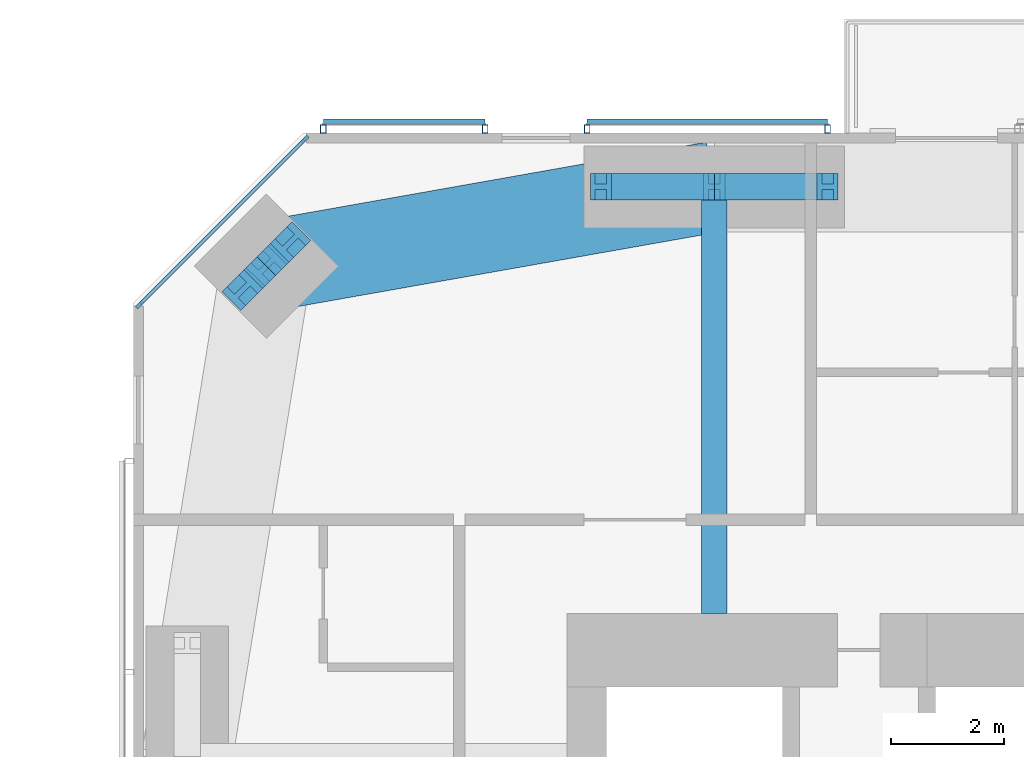
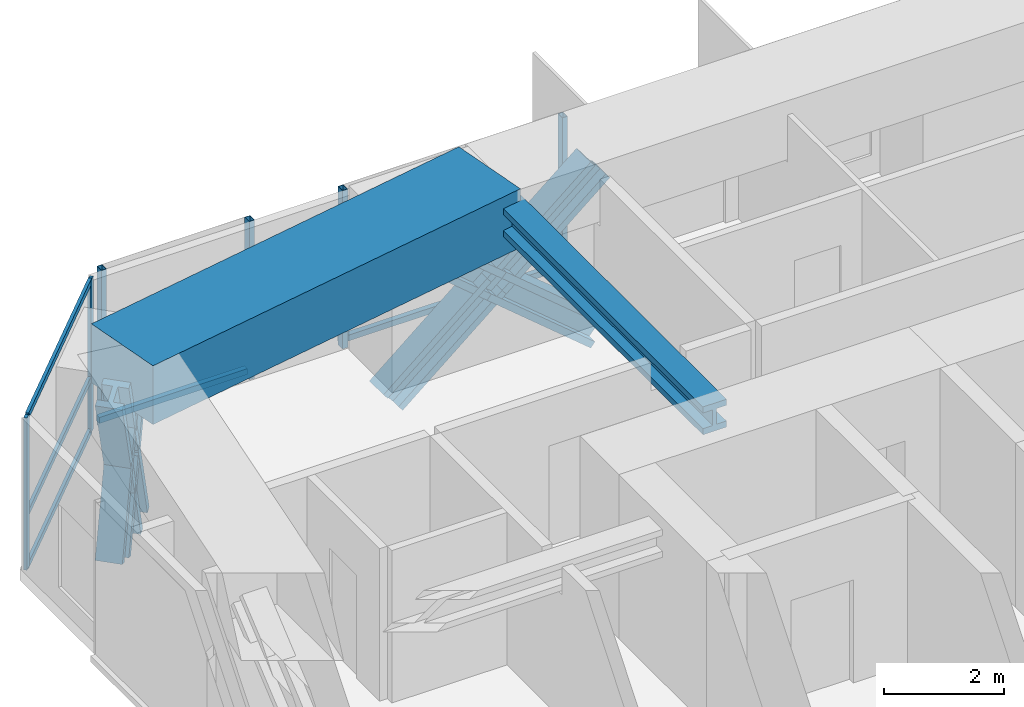
# One storey, part 10 of 22: 19 members, 2 beams, 3 elements without a shape of their own.
"""IFC4 building model written with IfcOpenShell, lengths in metres."""

from ifc_helpers import new_model, si_unit, direction, frame, origin, origin_2d, place, context, subcontext, project, spatial, rectangle, hollow_rectangle, i_section, extrude, material, material_profile, profile_set, type_object, element, aggregate, save


model = new_model("IFC4")

# Units and contexts
model_context = context("Model", 3, precision=1e-05, world=origin(), true_north=direction((0.0, 1.0)))
body_context = subcontext(model_context, "Body", "Model", "MODEL_VIEW")
ifc_project = project(units=[si_unit("LENGTHUNIT", "METRE"), si_unit("AREAUNIT", "SQUARE_METRE"), si_unit("VOLUMEUNIT", "CUBIC_METRE"), si_unit("PLANEANGLEUNIT", "RADIAN"), si_unit("MASSUNIT", "GRAM", prefix="KILO")], contexts=[model_context])

# Site, building, storey
site_placement = place(None, origin())
site = spatial("IfcSite", under=ifc_project, at=site_placement, CompositionType="ELEMENT")
building_placement = place(site_placement, origin())
building = spatial("IfcBuilding", under=site, at=building_placement, Name="Jalousie Tower", CompositionType="ELEMENT")
storey_placement = place(building_placement, frame((0.0, 0.0, 177.800048828125)))
storey = spatial("IfcBuildingStorey", under=building, at=storey_placement, Name="L48", CompositionType="ELEMENT", Elevation=177.800048828125)

# Curtain wall, members
ifc_material_1 = material(Name="Aluminium curtain wall", Category="aluminium")
curtain_wall_type_1 = type_object("IfcCurtainWallType", Name="CORNER WINDOW WALL", PredefinedType="USERDEFINED", material=ifc_material_1)
curtain_wall_1_placement = place(storey_placement, origin())
curtain_wall_1 = element("IfcCurtainWall", 1, at=curtain_wall_1_placement, inside=storey, type_object=curtain_wall_type_1, Name="Corner Window Wall L48 6", ObjectType="CORNER WINDOW WALL", PredefinedType="USERDEFINED")
ifc_material_2 = material(Name="Aluminium mullion", Category="aluminium")
ifc_material_profile_1 = material_profile(ifc_material_2, rectangle(XDim=0.06005859375, YDim=0.14990234375, at=origin_2d()), Name="MULLION 60x150")
ifc_profile_set_1 = profile_set([ifc_material_profile_1], Name="Aluminium mullion")
member_type_1 = type_object("IfcMemberType", Name="CORNER WINDOW WALL MULLION", PredefinedType="MULLION", material=ifc_profile_set_1)
member_1_placement = place(storey_placement, frame((15.030029296875, 35.891357421875, 0.0), z_axis=(0.0, 0.0, 1.0), x_axis=(0.707106781187, -0.707106781187, 0.0)))
member_1 = element("IfcMember", 2, at=member_1_placement, type_object=member_type_1, Name="CW-C mullion 1", PredefinedType="MULLION", context=body_context, shape_type="SweptSolid", body=[
    extrude(rectangle(XDim=0.06005859375, YDim=0.14990234375, at=origin_2d()), origin(), (0.0, 0.0, 1.0), 3.10986328125),
])
member_2_placement = place(storey_placement, frame((12.108642578125, 32.969970703125, 0.0), z_axis=(0.0, 0.0, 1.0), x_axis=(0.707106781187, -0.707106781187, 0.0)))
member_2 = element("IfcMember", 3, at=member_2_placement, type_object=member_type_1, Name="CW-C mullion 2", PredefinedType="MULLION", context=body_context, shape_type="SweptSolid", body=[
    extrude(rectangle(XDim=0.06005859375, YDim=0.14990234375, at=origin_2d()), origin(), (0.0, 0.0, 1.0), 3.10986328125),
])
ifc_material_3 = material(Name="Aluminium transom", Category="aluminium")
ifc_material_profile_2 = material_profile(ifc_material_3, rectangle(XDim=0.06005859375, YDim=0.1201171875, at=origin_2d()), Name="TRANSOM 60x120")
ifc_profile_set_2 = profile_set([ifc_material_profile_2], Name="Aluminium transom")
member_type_2 = type_object("IfcMemberType", Name="CORNER WINDOW WALL TRANSOM", PredefinedType="USERDEFINED", material=ifc_profile_set_2)
member_3_placement = place(storey_placement, frame((15.0087890625, 35.8701171875, 0.030029296875), z_axis=(-0.707106781187, -0.707106781187, 0.0), x_axis=(0.707106781187, -0.707106781187, 0.0)))
member_3 = element("IfcMember", 4, at=member_3_placement, type_object=member_type_2, Name="CW-C transom 1.1", ObjectType="TRANSOM", PredefinedType="USERDEFINED", context=body_context, shape_type="SweptSolid", body=[
    extrude(rectangle(XDim=0.06005859375, YDim=0.1201171875, at=origin_2d()), origin(), (0.0, 0.0, 1.0), 4.0712890625),
])
member_4_placement = place(storey_placement, frame((15.0087890625, 35.8701171875, 1.099853515625), z_axis=(-0.707106781187, -0.707106781187, 0.0), x_axis=(0.707106781187, -0.707106781187, 0.0)))
member_4 = element("IfcMember", 5, at=member_4_placement, type_object=member_type_2, Name="CW-C transom 1.2", ObjectType="TRANSOM", PredefinedType="USERDEFINED", context=body_context, shape_type="SweptSolid", body=[
    extrude(rectangle(XDim=0.06005859375, YDim=0.1201171875, at=origin_2d()), origin(), (0.0, 0.0, 1.0), 4.0712890625),
])
member_5_placement = place(storey_placement, frame((15.0087890625, 35.8701171875, 3.079833984375), z_axis=(-0.707106781187, -0.707106781187, 0.0), x_axis=(0.707106781187, -0.707106781187, 0.0)))
member_5 = element("IfcMember", 6, at=member_5_placement, type_object=member_type_2, Name="CW-C transom 1.3", ObjectType="TRANSOM", PredefinedType="USERDEFINED", context=body_context, shape_type="SweptSolid", body=[
    extrude(rectangle(XDim=0.06005859375, YDim=0.1201171875, at=origin_2d()), origin(), (0.0, 0.0, 1.0), 4.0712890625),
])
aggregate(curtain_wall_1, [member_1, member_2, member_3, member_4, member_5])

# Beam
ifc_material_4 = material(Name="Steel ASTM A992 Grade 50", Category="steel")
ifc_material_profile_3 = material_profile(ifc_material_4, i_section(OverallWidth=0.45458984375, OverallDepth=0.569091796875, WebThickness=0.077880859375, FlangeThickness=0.124755859375, at=origin_2d()), Name="W14X730")
ifc_profile_set_3 = profile_set([ifc_material_profile_3], Name="Steel ASTM A992 Grade 50")
beam_type_1 = type_object("IfcBeamType", Name="LEAN COLLECTOR W14X730", PredefinedType="BEAM", material=ifc_profile_set_3)
beam_1_placement = place(storey_placement, frame((22.25, 35.050048828125, 2.825439453125), z_axis=(0.0, -1.0, 0.0), x_axis=(1.0, 0.0, 0.0)))
element("IfcBeam", 7, at=beam_1_placement, inside=storey, type_object=beam_type_1, Name="Lean collector under L49", PredefinedType="BEAM", context=body_context, shape_type="SweptSolid", body=[
    extrude(i_section(OverallWidth=0.45458984375, OverallDepth=0.569091796875, WebThickness=0.077880859375, FlangeThickness=0.124755859375, at=origin_2d()), origin(), (0.0, 0.0, 1.0), 7.525146484375),
])

# Members
ifc_material_5 = material(Name="Steel ASTM A992 Grade 50", Category="steel")
ifc_material_profile_4 = material_profile(ifc_material_5, i_section(OverallWidth=0.472412109375, OverallDepth=0.5791015625, WebThickness=0.094970703125, FlangeThickness=0.1298828125, at=origin_2d()), Name="W14X808")
ifc_profile_set_4 = profile_set([ifc_material_profile_4], Name="Steel ASTM A992 Grade 50")
member_type_3 = type_object("IfcMemberType", Name="PERIMETER BRACE W14X808", PredefinedType="BRACE", material=ifc_profile_set_4)
for number, where, z_axis, x_axis, name in (
    (8, (20.25, 35.050048828125, -0.60009765625), (0.766638753323, 0.0, 0.642078672674), (0.0, 1.0, 0.0), "Perimeter brace 11 L48 part 1"),
    (9, (22.25, 35.050048828125, 1.074951171875), (0.766638753323, 0.0, 0.642078672674), (0.0, 1.0, 0.0), "Perimeter brace 11 L48 part 2"),
    (10, (24.25, 35.050048828125, -0.60009765625), (-0.766638753323, 0.0, 0.642078672674), (0.0, -1.0, 0.0), "Perimeter brace 11 L48 part 3"),
    (11, (22.25, 35.050048828125, 1.074951171875), (-0.766638753323, 0.0, 0.642078672674), (0.0, -1.0, 0.0), "Perimeter brace 11 L48 part 4"),
):
    element("IfcMember", number, at=place(storey_placement, frame(where, z_axis=z_axis, x_axis=x_axis)), inside=storey, type_object=member_type_3, Name=name, PredefinedType="BRACE", context=body_context, shape_type="SweptSolid", body=[
        extrude(i_section(OverallWidth=0.472412109375, OverallDepth=0.5791015625, WebThickness=0.094970703125, FlangeThickness=0.1298828125, at=origin_2d()), origin(), (0.0, 0.0, 1.0), 2.60888671875),
    ])
for number, where, z_axis, x_axis, name in (
    (12, (14.772705078125, 34.07568359375, -0.60009765625), (-0.238482757655, -0.238345540878, 0.941444303953), (0.706903267951, -0.707310235866, 0.0), "Perimeter brace 12 L48 part 1"),
    (13, (14.348388671875, 33.651611328125, 1.074951171875), (-0.238345540878, -0.238482757655, 0.941444303953), (0.707310235866, -0.706903267951, 0.0), "Perimeter brace 12 L48 part 2"),
    (14, (13.92431640625, 33.227294921875, -0.60009765625), (0.238345540878, 0.238482757655, 0.941444303953), (-0.707310235866, 0.706903267951, 0.0), "Perimeter brace 12 L48 part 3"),
    (15, (14.348388671875, 33.651611328125, 1.074951171875), (0.238482757655, 0.238345540878, 0.941444303953), (-0.706903267951, 0.707310235866, 0.0), "Perimeter brace 12 L48 part 4"),
):
    element("IfcMember", number, at=place(storey_placement, frame(where, z_axis=z_axis, x_axis=x_axis)), inside=storey, type_object=member_type_3, Name=name, PredefinedType="BRACE", context=body_context, shape_type="SweptSolid", body=[
        extrude(i_section(OverallWidth=0.472412109375, OverallDepth=0.5791015625, WebThickness=0.094970703125, FlangeThickness=0.1298828125, at=origin_2d()), origin(), (0.0, 0.0, 1.0), 1.779296875),
    ])

# Beam
ifc_material_6 = material(Name="Concrete f'c 40 MPa", Category="concrete")
ifc_material_profile_5 = material_profile(ifc_material_6, rectangle(XDim=1.60009765625, YDim=1.199951171875, at=origin_2d()), Name="RC 1600x1200")
ifc_profile_set_5 = profile_set([ifc_material_profile_5], Name="Concrete f'c 40 MPa")
beam_type_2 = type_object("IfcBeamType", Name="RC BEAM 1600x1200", PredefinedType="BEAM", material=ifc_profile_set_5)
beam_2_placement = place(storey_placement, frame((22.25, 35.050048828125, 2.75), z_axis=(-0.984697370688, -0.174273027632, 0.0), x_axis=(0.174273027632, -0.984697370688, 0.0)))
element("IfcBeam", 16, at=beam_2_placement, inside=storey, type_object=beam_type_2, Name="Edge band beam 11-12 under L49", PredefinedType="BEAM", context=body_context, shape_type="SweptSolid", body=[
    extrude(rectangle(XDim=1.60009765625, YDim=1.199951171875, at=origin_2d()), origin(), (0.0, 0.0, 1.0), 8.0244140625),
])

# Curtain wall, members
ifc_material_7 = material(Name="Perforated aluminium sheet", Category="aluminium")
curtain_wall_type_2 = type_object("IfcCurtainWallType", Name="SOLAR SCREEN SS-1", PredefinedType="USERDEFINED", material=ifc_material_7)
curtain_wall_2_placement = place(storey_placement, origin())
curtain_wall_2 = element("IfcCurtainWall", 17, at=curtain_wall_2_placement, inside=storey, type_object=curtain_wall_type_2, Name="Solar screen L48", ObjectType="SOLAR SCREEN SS-1", PredefinedType="USERDEFINED")
ifc_material_8 = material(Name="Steel ASTM A500 Grade C", Category="steel")
ifc_material_profile_6 = material_profile(ifc_material_8, hollow_rectangle(XDim=0.1015625, YDim=0.15234375, WallThickness=0.00634765625, at=origin_2d()), Name="HSS6X4X1/4")
ifc_profile_set_6 = profile_set([ifc_material_profile_6], Name="Steel ASTM A500 Grade C")
member_type_4 = type_object("IfcMemberType", Name="SOLAR SCREEN SS-1 MULLION", PredefinedType="MULLION", material=ifc_profile_set_6)
member_6_placement = place(storey_placement, frame((24.25, 36.0712890625, -0.1201171875), z_axis=(0.0, 0.0, 1.0), x_axis=(-1.0, 0.0, 0.0)))
member_6 = element("IfcMember", 18, at=member_6_placement, type_object=member_type_4, Name="SS1 post 1", PredefinedType="MULLION", context=body_context, shape_type="SweptSolid", body=[
    extrude(hollow_rectangle(XDim=0.1015625, YDim=0.15234375, WallThickness=0.00634765625, at=origin_2d()), origin(), (0.0, 0.0, 1.0), 3.22998046875),
])
member_7_placement = place(storey_placement, frame((20.005615234375, 36.0712890625, -0.1201171875), z_axis=(0.0, 0.0, 1.0), x_axis=(-1.0, 0.0, 0.0)))
member_7 = element("IfcMember", 19, at=member_7_placement, type_object=member_type_4, Name="SS1 post 2", PredefinedType="MULLION", context=body_context, shape_type="SweptSolid", body=[
    extrude(hollow_rectangle(XDim=0.1015625, YDim=0.15234375, WallThickness=0.00634765625, at=origin_2d()), origin(), (0.0, 0.0, 1.0), 3.22998046875),
])

curtain_wall_3_placement = place(storey_placement, origin())
curtain_wall_3 = element("IfcCurtainWall", 20, at=curtain_wall_3_placement, inside=storey, type_object=curtain_wall_type_2, Name="Solar screen L48", ObjectType="SOLAR SCREEN SS-1", PredefinedType="USERDEFINED")
member_8_placement = place(storey_placement, frame((18.20556640625, 36.0712890625, -0.1201171875), z_axis=(0.0, 0.0, 1.0), x_axis=(-1.0, 0.0, 0.0)))
member_8 = element("IfcMember", 21, at=member_8_placement, type_object=member_type_4, Name="SS1 post 1", PredefinedType="MULLION", context=body_context, shape_type="SweptSolid", body=[
    extrude(hollow_rectangle(XDim=0.1015625, YDim=0.15234375, WallThickness=0.00634765625, at=origin_2d()), origin(), (0.0, 0.0, 1.0), 3.22998046875),
])
member_9_placement = place(storey_placement, frame((15.351318359375, 36.0712890625, -0.1201171875), z_axis=(0.0, 0.0, 1.0), x_axis=(-1.0, 0.0, 0.0)))
member_9 = element("IfcMember", 22, at=member_9_placement, type_object=member_type_4, Name="SS1 post 2", PredefinedType="MULLION", context=body_context, shape_type="SweptSolid", body=[
    extrude(hollow_rectangle(XDim=0.1015625, YDim=0.15234375, WallThickness=0.00634765625, at=origin_2d()), origin(), (0.0, 0.0, 1.0), 3.22998046875),
])

# Member
ifc_material_9 = material(Name="Extruded aluminium screen rail", Category="aluminium")
ifc_material_profile_7 = material_profile(ifc_material_9, rectangle(XDim=0.1015625, YDim=0.1201171875, at=origin_2d()), Name="RAIL 102x120")
ifc_profile_set_7 = profile_set([ifc_material_profile_7], Name="Extruded aluminium screen rail")
member_type_5 = type_object("IfcMemberType", Name="SOLAR SCREEN SS-1 TRANSOM", PredefinedType="USERDEFINED", material=ifc_profile_set_7)
member_10_placement = place(storey_placement, frame((24.25, 36.1982421875, -0.06005859375), z_axis=(-1.0, 0.0, 0.0), x_axis=(0.0, -1.0, 0.0)))
member_10 = element("IfcMember", 23, at=member_10_placement, type_object=member_type_5, Name="SS1 rail", ObjectType="TRANSOM", PredefinedType="USERDEFINED", context=body_context, shape_type="SweptSolid", body=[
    extrude(rectangle(XDim=0.1015625, YDim=0.1201171875, at=origin_2d()), origin(), (0.0, 0.0, 1.0), 4.244384765625),
])

aggregate(curtain_wall_2, [member_6, member_7, member_10])

member_11_placement = place(storey_placement, frame((18.20556640625, 36.1982421875, -0.06005859375), z_axis=(-1.0, 0.0, 0.0), x_axis=(0.0, -1.0, 0.0)))
member_11 = element("IfcMember", 24, at=member_11_placement, type_object=member_type_5, Name="SS1 rail", ObjectType="TRANSOM", PredefinedType="USERDEFINED", context=body_context, shape_type="SweptSolid", body=[
    extrude(rectangle(XDim=0.1015625, YDim=0.1201171875, at=origin_2d()), origin(), (0.0, 0.0, 1.0), 2.854248046875),
])

aggregate(curtain_wall_3, [member_8, member_9, member_11])

save(model, "model.ifc")
